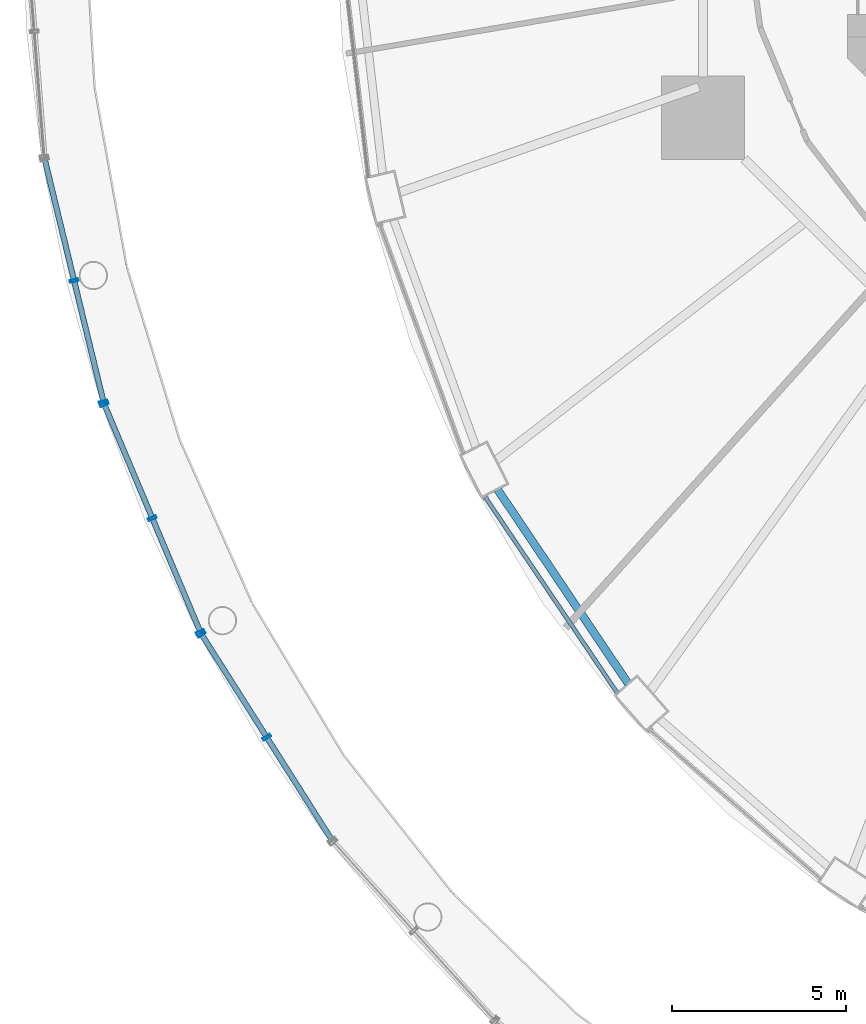
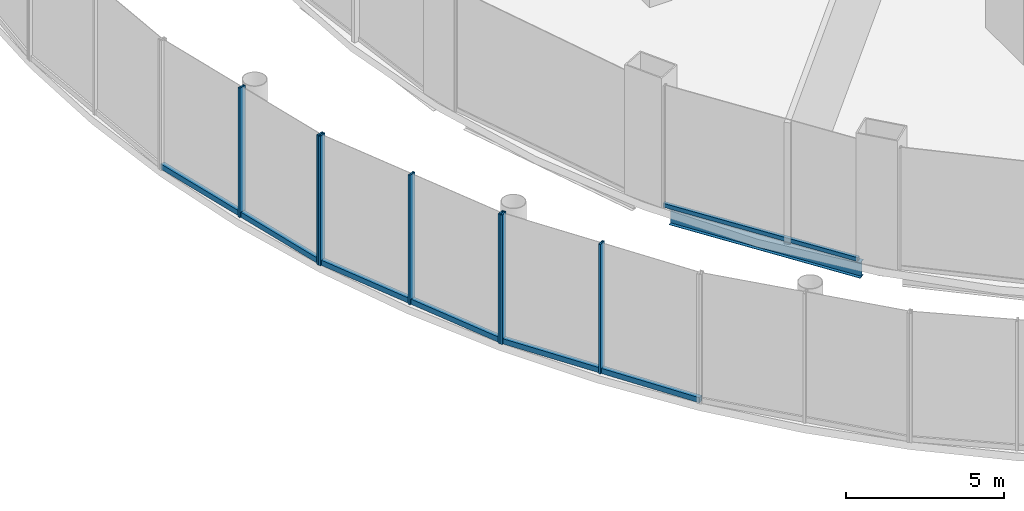
# One storey, part 5 of 47: 11 members, 1 beam, 4 elements without a shape of their own.
"""IFC4 building model written with IfcOpenShell, lengths in metres."""

import ifcopenshell
import ifcopenshell.guid

model = None  # the IFC model being written
_history = None  # IfcOwnerHistory: only IFC2X3 demands one
_inside = {}  # id of a spatial element -> (the spatial element, [elements in it])
_under = {}  # id of a project, library or spatial element -> (it, [spatial elements below it])
_declared = {}  # id of a project -> (the project, [libraries it declares])
_typed = {}  # id of a type object -> (the type object, [elements of that type])
_made_of = {}  # id of a material, layer set ... -> (it, [elements and type objects made of it])


def new_model(schema):
    """Start an empty IFC model of exactly this schema.

    Asked for "IFC4X3", IfcOpenShell would pick the latest addendum, in which some entities
    have other attributes; the version numbers below select the first issue.
    IFC2X3 requires an IfcOwnerHistory on every rooted entity: one is made here for all.
    """
    global model, _history
    if schema == "IFC4X3":
        model = ifcopenshell.file(schema_version=(4, 3, 0, 0))
    else:
        model = ifcopenshell.file(schema=schema)
    _inside.clear()
    _under.clear()
    _declared.clear()
    _typed.clear()
    _made_of.clear()
    _history = None
    if model.schema == "IFC2X3":
        org = make("IfcOrganization", Name="unknown")
        user = make(
            "IfcPersonAndOrganization",
            ThePerson=make("IfcPerson", FamilyName="unknown"),
            TheOrganization=org,
        )
        app = make(
            "IfcApplication",
            ApplicationDeveloper=org,
            Version="unknown",
            ApplicationFullName="unknown",
            ApplicationIdentifier="unknown",
        )
        _history = make(
            "IfcOwnerHistory",
            OwningUser=user,
            OwningApplication=app,
            ChangeAction="ADDED",
            CreationDate=0,
        )
    return model


def make(cls, **values):
    """One entity of the class cls with the attributes given. An attribute that is None is left unset."""
    return model.create_entity(
        cls, **{name: value for name, value in values.items() if value is not None}
    )


def rooted(cls, **values):
    """An entity with a GlobalId (a new one), such as an element, a storey or a relation."""
    return make(cls, GlobalId=ifcopenshell.guid.new(), OwnerHistory=_history, **values)


def si_unit(unit_type, name, prefix=None):
    """IfcSIUnit, for example si_unit("LENGTHUNIT", "METRE", prefix="MILLI")."""
    return make("IfcSIUnit", UnitType=unit_type, Prefix=prefix, Name=name)


def assignment(units):
    """IfcUnitAssignment: the units of a project."""
    return None if units is None else make("IfcUnitAssignment", Units=units)


def point(xyz):
    """IfcCartesianPoint."""
    return None if xyz is None else make("IfcCartesianPoint", Coordinates=xyz)


def direction(xyz):
    """IfcDirection."""
    return None if xyz is None else make("IfcDirection", DirectionRatios=xyz)


def frame(location, z_axis=None, x_axis=None):
    """IfcAxis2Placement3D, a coordinate frame: its origin and axes. An axis left out is left unset."""
    return make(
        "IfcAxis2Placement3D",
        Location=point(location),
        Axis=direction(z_axis),
        RefDirection=direction(x_axis),
    )


def frame_2d(location, x_axis=None):
    """IfcAxis2Placement2D, a coordinate frame in the plane: its origin and x axis."""
    return make(
        "IfcAxis2Placement2D", Location=point(location), RefDirection=direction(x_axis)
    )


def origin():
    """The frame at (0, 0, 0) with its axes left unset."""
    return frame((0.0, 0.0, 0.0))


def origin_2d():
    """The frame at (0, 0) in the plane with its x axis left unset."""
    return frame_2d((0.0, 0.0))


def place(relative_to, where):
    """IfcLocalPlacement: puts the frame where relative to a parent placement (None: the world)."""
    return make(
        "IfcLocalPlacement", PlacementRelTo=relative_to, RelativePlacement=where
    )


def context(
    kind, dimensions, precision=None, world=None, true_north=None, identifier=None
):
    """IfcGeometricRepresentationContext, for example the 3D "Model" context."""
    return make(
        "IfcGeometricRepresentationContext",
        ContextIdentifier=identifier,
        ContextType=kind,
        CoordinateSpaceDimension=dimensions,
        Precision=precision,
        WorldCoordinateSystem=world,
        TrueNorth=true_north,
    )


def subcontext(parent, identifier, kind, view, scale=None):
    """IfcGeometricRepresentationSubContext, for example "Body" below "Model"."""
    return make(
        "IfcGeometricRepresentationSubContext",
        ContextIdentifier=identifier,
        ContextType=kind,
        ParentContext=parent,
        TargetScale=scale,
        TargetView=view,
    )


def project(units=None, contexts=None):
    """IfcProject with its units and contexts."""
    return rooted(
        "IfcProject",
        Name="project",
        RepresentationContexts=contexts,
        UnitsInContext=assignment(units),
    )


def spatial(cls, under=None, at=None, **own):
    """A site, building, storey or space (cls), placed at a placement, below another one or the project."""
    s = rooted(cls, ObjectPlacement=at, **own)
    if under is not None:
        _under.setdefault(under.id(), (under, []))[1].append(s)
    return s


def profile(cls, at=None, kind="AREA", **sizes):
    """A parametric profile (cls). Its sizes go by their IFC names, for example OverallWidth=200.0."""
    return make(cls, ProfileType=kind, Position=at, **sizes)


def hollow_rectangle(**sizes):
    """IfcRectangleHollowProfileDef."""
    return profile("IfcRectangleHollowProfileDef", **sizes)


def i_section(**sizes):
    """IfcIShapeProfileDef."""
    return profile("IfcIShapeProfileDef", **sizes)


def extrude(swept, where, along, depth):
    """IfcExtrudedAreaSolid: the profile swept, set in the frame where, extruded along a direction by depth."""
    return make(
        "IfcExtrudedAreaSolid",
        SweptArea=swept,
        Position=where,
        ExtrudedDirection=direction(along),
        Depth=depth,
    )


def shape(context_of_items, identifier, shape_type, items):
    """IfcShapeRepresentation: the items that make up one representation, for example the "Body"."""
    return make(
        "IfcShapeRepresentation",
        ContextOfItems=context_of_items,
        RepresentationIdentifier=identifier,
        RepresentationType=shape_type,
        Items=items,
    )


def material(Name=None, Category=None):
    """IfcMaterial."""
    return make("IfcMaterial", Name=Name, Category=Category)


def layer(
    of_material, thickness, ventilated=None, Name=None, Category=None, Priority=None
):
    """IfcMaterialLayer: one layer of a wall or slab, of a material (None: an air gap)."""
    return make(
        "IfcMaterialLayer",
        Material=of_material,
        LayerThickness=thickness,
        IsVentilated=ventilated,
        Name=Name,
        Category=Category,
        Priority=Priority,
    )


def layer_set(layers, Name=None):
    """IfcMaterialLayerSet."""
    return make("IfcMaterialLayerSet", MaterialLayers=layers, LayerSetName=Name)


def material_profile(
    of_material, cross_section, Name=None, Category=None, Priority=None
):
    """IfcMaterialProfile: a cross section and its material."""
    return make(
        "IfcMaterialProfile",
        Name=Name,
        Material=of_material,
        Profile=cross_section,
        Priority=Priority,
        Category=Category,
    )


def profile_set(profiles, Name=None, composite=None):
    """IfcMaterialProfileSet."""
    return make(
        "IfcMaterialProfileSet",
        Name=Name,
        MaterialProfiles=profiles,
        CompositeProfile=composite,
    )


def made_of(thing, what):
    """Note that an element or type object is made of a material, layer set ...; save() writes the relation."""
    if what is not None:
        _made_of.setdefault(what.id(), (what, []))[1].append(thing)
    return thing


def type_object(cls, material=None, **own):
    """A type object (cls), such as IfcWallType, which elements share."""
    return made_of(rooted(cls, **own), material)


def element(
    cls,
    number,
    at=None,
    inside=None,
    cuts=None,
    type_object=None,
    material=None,
    context=None,
    identifier="Body",
    shape_type=None,
    held_by="IfcProductDefinitionShape",
    body=None,
    shapes=None,
    **own,
):
    """One element of the class cls, such as IfcWall. Its Tag is "e" and its number.

    at: its placement. inside: the storey or other place that contains it. cuts: it is an
    opening in that element (IfcRelVoidsElement). A single representation is given by context,
    identifier, shape_type and body (its items); several are given by shapes. held_by: the class
    of the entity that holds the representations. save() writes the other relations.
    """
    e = rooted(cls, Tag="e%d" % number, ObjectPlacement=at, **own)
    if body is not None:
        shapes = [shape(context, identifier, shape_type, body)]
    if shapes is not None:
        e.Representation = make(held_by, Representations=shapes)
    if inside is not None:
        _inside.setdefault(inside.id(), (inside, []))[1].append(e)
    if cuts is not None:
        rooted(
            "IfcRelVoidsElement", RelatingBuildingElement=cuts, RelatedOpeningElement=e
        )
    if type_object is not None:
        _typed.setdefault(type_object.id(), (type_object, []))[1].append(e)
    return made_of(e, material)


def aggregate(whole, parts):
    """IfcRelAggregates: a whole, such as a stair, and the parts it consists of."""
    return rooted("IfcRelAggregates", RelatingObject=whole, RelatedObjects=parts)


def save(model, path):
    """Write the relations noted so far, then the file.

    IfcRelAggregates (storeys below a building ...), IfcRelContainedInSpatialStructure (elements
    in a storey), IfcRelDefinesByType, IfcRelAssociatesMaterial and IfcRelDeclares: one each for
    every whole, place, type object, material and project.
    """
    for whole, parts in _under.values():
        aggregate(whole, parts)
    for where, things in _inside.values():
        rooted(
            "IfcRelContainedInSpatialStructure",
            RelatedElements=things,
            RelatingStructure=where,
        )
    for kind, things in _typed.values():
        rooted("IfcRelDefinesByType", RelatedObjects=things, RelatingType=kind)
    for what, things in _made_of.values():
        rooted("IfcRelAssociatesMaterial", RelatedObjects=things, RelatingMaterial=what)
    for by, libraries in _declared.values():
        rooted("IfcRelDeclares", RelatingContext=by, RelatedDefinitions=libraries)
    model.write(path)


model = new_model("IFC4")

# Units and contexts
model_context = context("Model", 3, precision=1e-05, world=origin(), true_north=direction((0.0, 1.0)))
body_context = subcontext(model_context, "Body", "Model", "MODEL_VIEW")
ifc_project = project(units=[si_unit("LENGTHUNIT", "METRE"), si_unit("AREAUNIT", "SQUARE_METRE"), si_unit("VOLUMEUNIT", "CUBIC_METRE"), si_unit("PLANEANGLEUNIT", "RADIAN"), si_unit("MASSUNIT", "GRAM", prefix="KILO")], contexts=[model_context])

# Site, building, storey
site_placement = place(None, origin())
site = spatial("IfcSite", under=ifc_project, at=site_placement, CompositionType="ELEMENT")
building_placement = place(site_placement, origin())
building = spatial("IfcBuilding", under=site, at=building_placement, Name="Nagisa Residences", CompositionType="ELEMENT")
storey_placement = place(building_placement, frame((0.0, 0.0, 17.0)))
storey = spatial("IfcBuildingStorey", under=building, at=storey_placement, Name="L03", CompositionType="ELEMENT", Elevation=17.0)

# Curtain wall, members
ifc_material_1 = material(Name="Stainless steel curtain wall system", Category="steel")
ifc_layer_1 = layer(ifc_material_1, 0.159912109375)
ifc_layer_set_1 = layer_set([ifc_layer_1], Name="CW3 CURTAIN WALL")
curtain_wall_type_1 = type_object("IfcCurtainWallType", Name="CW3 CURTAIN WALL", PredefinedType="NOTDEFINED", material=ifc_layer_set_1)
curtain_wall_1_placement = place(storey_placement, origin())
curtain_wall_1 = element("IfcCurtainWall", 1, at=curtain_wall_1_placement, inside=storey, type_object=curtain_wall_type_1, Name="cw:CW3:L03:19", PredefinedType="NOTDEFINED")
ifc_material_2 = material(Name="Stainless steel", Category="steel")
ifc_material_profile_1 = material_profile(ifc_material_2, hollow_rectangle(XDim=0.25, YDim=0.080078125, WallThickness=0.008056640625, at=origin_2d()), Name="CW3 MULLION 250x80")
ifc_profile_set_1 = profile_set([ifc_material_profile_1], Name="Stainless steel")
member_type_1 = type_object("IfcMemberType", Name="CW3 MULLION 250x80", PredefinedType="MULLION", material=ifc_profile_set_1)
member_1_placement = place(storey_placement, frame((-32.8876953125, -10.810302734375, 0.0), z_axis=(0.0, 0.0, 1.0), x_axis=(0.971848775146, 0.235605514043, 0.0)))
member_1 = element("IfcMember", 2, at=member_1_placement, type_object=member_type_1, Name="CW3 mullion", PredefinedType="MULLION", context=body_context, shape_type="SweptSolid", body=[
    extrude(hollow_rectangle(XDim=0.25, YDim=0.080078125, WallThickness=0.008056640625, at=origin_2d()), origin(), (0.0, 0.0, 1.0), 5.0),
])
member_2_placement = place(storey_placement, frame((-32.0400390625, -14.30712890625, 0.0), z_axis=(0.0, 0.0, 1.0), x_axis=(0.971848775146, 0.235605514043, 0.0)))
member_2 = element("IfcMember", 3, at=member_2_placement, type_object=member_type_1, Name="CW3 mullion", PredefinedType="MULLION", context=body_context, shape_type="SweptSolid", body=[
    extrude(hollow_rectangle(XDim=0.25, YDim=0.080078125, WallThickness=0.008056640625, at=origin_2d()), origin(), (0.0, 0.0, 1.0), 5.0),
])

curtain_wall_2_placement = place(storey_placement, origin())
curtain_wall_2 = element("IfcCurtainWall", 4, at=curtain_wall_2_placement, inside=storey, type_object=curtain_wall_type_1, Name="cw:CW3:L03:20", PredefinedType="NOTDEFINED")
member_3_placement = place(storey_placement, frame((-32.01904296875, -14.37060546875, 0.0), z_axis=(0.0, 0.0, 1.0), x_axis=(0.921356767819, 0.388718029417, 0.0)))
member_3 = element("IfcMember", 5, at=member_3_placement, type_object=member_type_1, Name="CW3 mullion", PredefinedType="MULLION", context=body_context, shape_type="SweptSolid", body=[
    extrude(hollow_rectangle(XDim=0.25, YDim=0.080078125, WallThickness=0.008056640625, at=origin_2d()), origin(), (0.0, 0.0, 1.0), 5.0),
])
member_4_placement = place(storey_placement, frame((-30.635009765625, -17.6513671875, 0.0), z_axis=(0.0, 0.0, 1.0), x_axis=(0.921356767819, 0.388718029417, 0.0)))
member_4 = element("IfcMember", 6, at=member_4_placement, type_object=member_type_1, Name="CW3 mullion", PredefinedType="MULLION", context=body_context, shape_type="SweptSolid", body=[
    extrude(hollow_rectangle(XDim=0.25, YDim=0.080078125, WallThickness=0.008056640625, at=origin_2d()), origin(), (0.0, 0.0, 1.0), 5.0),
])
member_5_placement = place(storey_placement, frame((-29.250732421875, -20.93212890625, 0.0), z_axis=(0.0, 0.0, 1.0), x_axis=(0.921356767819, 0.388718029417, 0.0)))
member_5 = element("IfcMember", 7, at=member_5_placement, type_object=member_type_1, Name="CW3 mullion", PredefinedType="MULLION", context=body_context, shape_type="SweptSolid", body=[
    extrude(hollow_rectangle(XDim=0.25, YDim=0.080078125, WallThickness=0.008056640625, at=origin_2d()), origin(), (0.0, 0.0, 1.0), 5.0),
])

curtain_wall_3_placement = place(storey_placement, origin())
curtain_wall_3 = element("IfcCurtainWall", 8, at=curtain_wall_3_placement, inside=storey, type_object=curtain_wall_type_1, Name="cw:CW3:L03:21", PredefinedType="NOTDEFINED")
member_6_placement = place(storey_placement, frame((-29.219970703125, -20.990966796875, 0.0), z_axis=(0.0, 0.0, 1.0), x_axis=(0.844747368001, 0.535165286856, 0.0)))
member_6 = element("IfcMember", 9, at=member_6_placement, type_object=member_type_1, Name="CW3 mullion", PredefinedType="MULLION", context=body_context, shape_type="SweptSolid", body=[
    extrude(hollow_rectangle(XDim=0.25, YDim=0.080078125, WallThickness=0.008056640625, at=origin_2d()), origin(), (0.0, 0.0, 1.0), 5.0),
])
member_7_placement = place(storey_placement, frame((-27.341796875, -23.955810546875, 0.0), z_axis=(0.0, 0.0, 1.0), x_axis=(0.844747368001, 0.535165286856, 0.0)))
member_7 = element("IfcMember", 10, at=member_7_placement, type_object=member_type_1, Name="CW3 mullion", PredefinedType="MULLION", context=body_context, shape_type="SweptSolid", body=[
    extrude(hollow_rectangle(XDim=0.25, YDim=0.080078125, WallThickness=0.008056640625, at=origin_2d()), origin(), (0.0, 0.0, 1.0), 5.0),
])

# Member
ifc_material_3 = material(Name="Stainless steel", Category="steel")
ifc_material_profile_2 = material_profile(ifc_material_3, hollow_rectangle(XDim=0.159912109375, YDim=0.199951171875, WallThickness=0.008056640625, at=origin_2d()), Name="CW3 TRANSOM 160x200")
ifc_profile_set_2 = profile_set([ifc_material_profile_2], Name="Stainless steel")
member_type_2 = type_object("IfcMemberType", Name="CW3 TRANSOM 160x200", PredefinedType="USERDEFINED", material=ifc_profile_set_2)
member_8_placement = place(storey_placement, frame((-33.744873046875, -7.2744140625, 0.10009765625), z_axis=(0.235605787455, -0.971848708863, 0.0), x_axis=(0.971848708863, 0.235605787455, 0.0)))
member_8 = element("IfcMember", 11, at=member_8_placement, type_object=member_type_2, Name="CW3 transom", ObjectType="TRANSOM", PredefinedType="USERDEFINED", context=body_context, shape_type="SweptSolid", body=[
    extrude(hollow_rectangle(XDim=0.159912109375, YDim=0.199951171875, WallThickness=0.008056640625, at=origin_2d()), origin(), (0.0, 0.0, 1.0), 7.2763671875),
])

aggregate(curtain_wall_1, [member_1, member_2, member_8])

member_9_placement = place(storey_placement, frame((-32.03466796875, -14.333740234375, 0.10009765625), z_axis=(0.388708599467, -0.921360746234, 0.0), x_axis=(0.921360746234, 0.388708599467, 0.0)))
member_9 = element("IfcMember", 12, at=member_9_placement, type_object=member_type_2, Name="CW3 transom", ObjectType="TRANSOM", PredefinedType="USERDEFINED", context=body_context, shape_type="SweptSolid", body=[
    extrude(hollow_rectangle(XDim=0.159912109375, YDim=0.199951171875, WallThickness=0.008056640625, at=origin_2d()), origin(), (0.0, 0.0, 1.0), 7.20166015625),
])

aggregate(curtain_wall_2, [member_3, member_4, member_5, member_9])

member_10_placement = place(storey_placement, frame((-29.241455078125, -20.957275390625, 0.10009765625), z_axis=(0.535169889444, -0.844744452147, 0.0), x_axis=(0.844744452147, 0.535169889444, 0.0)))
member_10 = element("IfcMember", 13, at=member_10_placement, type_object=member_type_2, Name="CW3 transom", ObjectType="TRANSOM", PredefinedType="USERDEFINED", context=body_context, shape_type="SweptSolid", body=[
    extrude(hollow_rectangle(XDim=0.159912109375, YDim=0.199951171875, WallThickness=0.008056640625, at=origin_2d()), origin(), (0.0, 0.0, 1.0), 7.099365234375),
])

aggregate(curtain_wall_3, [member_6, member_7, member_10])

# Curtain wall, member
ifc_material_4 = material(Name="Stainless steel curtain wall system", Category="steel")
ifc_layer_2 = layer(ifc_material_4, 0.159912109375)
ifc_layer_set_2 = layer_set([ifc_layer_2], Name="CW6 CURTAIN WALL")
curtain_wall_type_2 = type_object("IfcCurtainWallType", Name="CW6 CURTAIN WALL", PredefinedType="NOTDEFINED", material=ifc_layer_set_2)
curtain_wall_4_placement = place(storey_placement, origin())
curtain_wall_4 = element("IfcCurtainWall", 14, at=curtain_wall_4_placement, inside=storey, type_object=curtain_wall_type_2, Name="cw:CW6:L03:28", PredefinedType="NOTDEFINED")
ifc_material_5 = material(Name="Stainless steel", Category="steel")
ifc_material_profile_3 = material_profile(ifc_material_5, hollow_rectangle(XDim=0.1201171875, YDim=0.14990234375, WallThickness=0.008056640625, at=origin_2d()), Name="CW6 TRANSOM 120x150")
ifc_profile_set_3 = profile_set([ifc_material_profile_3], Name="Stainless steel")
member_type_3 = type_object("IfcMemberType", Name="CW6 TRANSOM 120x150", PredefinedType="USERDEFINED", material=ifc_profile_set_3)
member_11_placement = place(storey_placement, frame((-21.05712890625, -17.03564453125, 0.074951171875), z_axis=(0.559080645991, -0.829113280124, 0.0), x_axis=(0.829113280124, 0.559080645991, 0.0)))
member_11 = element("IfcMember", 15, at=member_11_placement, type_object=member_type_3, Name="CW6 transom", ObjectType="TRANSOM", PredefinedType="USERDEFINED", context=body_context, shape_type="SweptSolid", body=[
    extrude(hollow_rectangle(XDim=0.1201171875, YDim=0.14990234375, WallThickness=0.008056640625, at=origin_2d()), origin(), (0.0, 0.0, 1.0), 6.84326171875),
])
aggregate(curtain_wall_4, [member_11])

# Beam
ifc_material_6 = material(Name="Steel ASTM A572 Gr 50", Category="steel")
ifc_material_profile_4 = material_profile(ifc_material_6, i_section(OverallWidth=0.22802734375, OverallDepth=0.60302734375, WebThickness=0.010498046875, FlangeThickness=0.014892578125, at=origin_2d()), Name="W610x101")
ifc_profile_set_4 = profile_set([ifc_material_profile_4], Name="Steel ASTM A572 Gr 50")
beam_type = type_object("IfcBeamType", Name="Perimeter ring beam W610x101", PredefinedType="BEAM", material=ifc_profile_set_4)
beam_placement = place(storey_placement, frame((-20.69921875, -16.818603515625, -0.6015625), z_axis=(0.558296806041, -0.829641293792, 0.0), x_axis=(0.829641293792, 0.558296806041, 0.0)))
element("IfcBeam", 16, at=beam_placement, inside=storey, type_object=beam_type, Name="beam:L03:pb15", PredefinedType="BEAM", context=body_context, shape_type="SweptSolid", body=[
    extrude(i_section(OverallWidth=0.22802734375, OverallDepth=0.60302734375, WebThickness=0.010498046875, FlangeThickness=0.014892578125, at=origin_2d()), origin(), (0.0, 0.0, 1.0), 6.74169921875),
])

save(model, "model.ifc")
